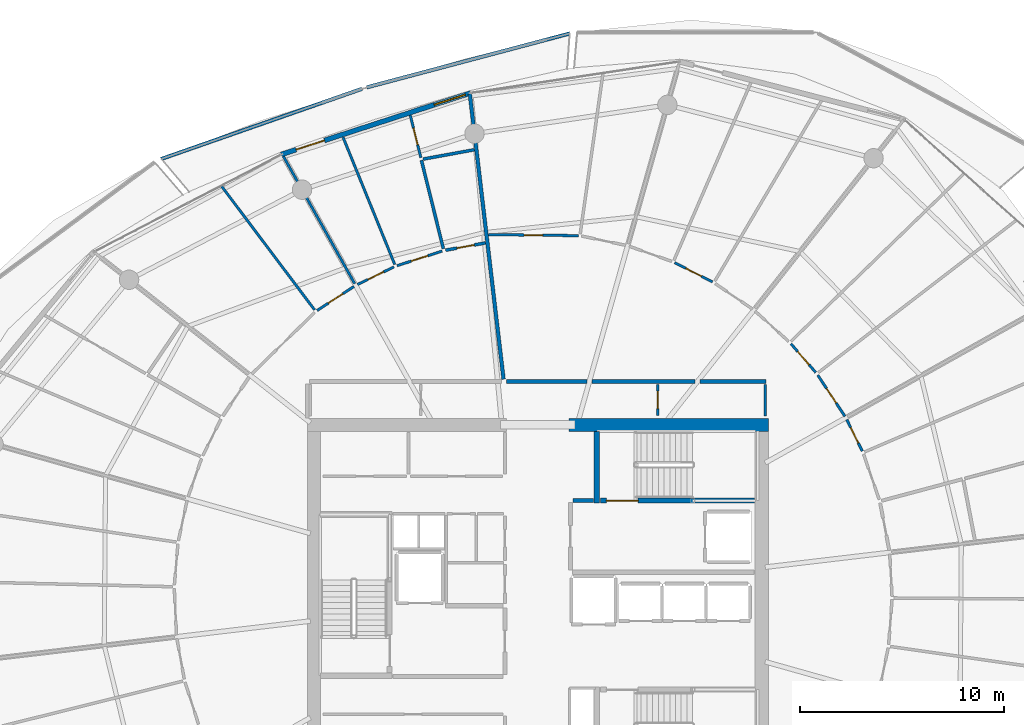
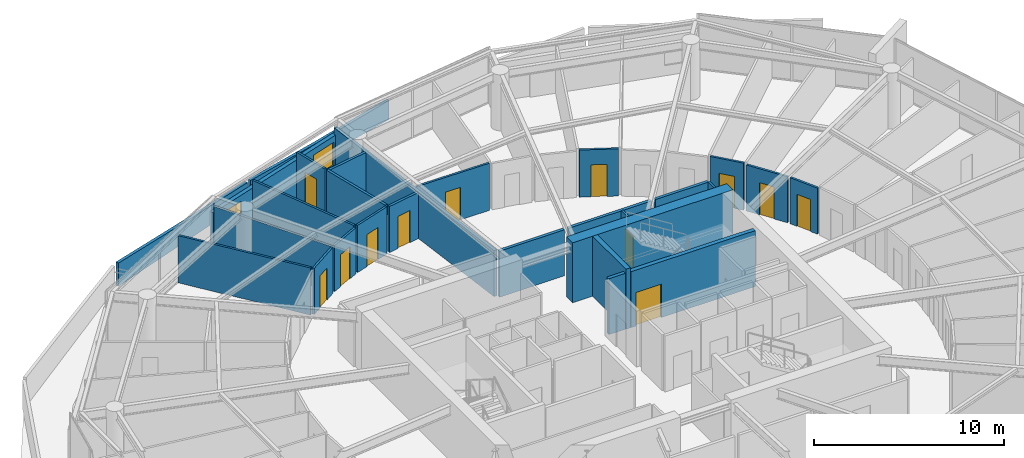
# One storey, part 22 of 30: 28 walls, 13 doors, 1 window, 14 openings.
"""IFC4 building model written with IfcOpenShell, lengths in metres."""

import ifcopenshell
import ifcopenshell.guid

model = None  # the IFC model being written
_history = None  # IfcOwnerHistory: only IFC2X3 demands one
_inside = {}  # id of a spatial element -> (the spatial element, [elements in it])
_under = {}  # id of a project, library or spatial element -> (it, [spatial elements below it])
_declared = {}  # id of a project -> (the project, [libraries it declares])
_typed = {}  # id of a type object -> (the type object, [elements of that type])
_made_of = {}  # id of a material, layer set ... -> (it, [elements and type objects made of it])


def new_model(schema):
    """Start an empty IFC model of exactly this schema.

    Asked for "IFC4X3", IfcOpenShell would pick the latest addendum, in which some entities
    have other attributes; the version numbers below select the first issue.
    IFC2X3 requires an IfcOwnerHistory on every rooted entity: one is made here for all.
    """
    global model, _history
    if schema == "IFC4X3":
        model = ifcopenshell.file(schema_version=(4, 3, 0, 0))
    else:
        model = ifcopenshell.file(schema=schema)
    _inside.clear()
    _under.clear()
    _declared.clear()
    _typed.clear()
    _made_of.clear()
    _history = None
    if model.schema == "IFC2X3":
        org = make("IfcOrganization", Name="unknown")
        user = make(
            "IfcPersonAndOrganization",
            ThePerson=make("IfcPerson", FamilyName="unknown"),
            TheOrganization=org,
        )
        app = make(
            "IfcApplication",
            ApplicationDeveloper=org,
            Version="unknown",
            ApplicationFullName="unknown",
            ApplicationIdentifier="unknown",
        )
        _history = make(
            "IfcOwnerHistory",
            OwningUser=user,
            OwningApplication=app,
            ChangeAction="ADDED",
            CreationDate=0,
        )
    return model


def make(cls, **values):
    """One entity of the class cls with the attributes given. An attribute that is None is left unset."""
    return model.create_entity(
        cls, **{name: value for name, value in values.items() if value is not None}
    )


def rooted(cls, **values):
    """An entity with a GlobalId (a new one), such as an element, a storey or a relation."""
    return make(cls, GlobalId=ifcopenshell.guid.new(), OwnerHistory=_history, **values)


def si_unit(unit_type, name, prefix=None):
    """IfcSIUnit, for example si_unit("LENGTHUNIT", "METRE", prefix="MILLI")."""
    return make("IfcSIUnit", UnitType=unit_type, Prefix=prefix, Name=name)


def assignment(units):
    """IfcUnitAssignment: the units of a project."""
    return None if units is None else make("IfcUnitAssignment", Units=units)


def point(xyz):
    """IfcCartesianPoint."""
    return None if xyz is None else make("IfcCartesianPoint", Coordinates=xyz)


def direction(xyz):
    """IfcDirection."""
    return None if xyz is None else make("IfcDirection", DirectionRatios=xyz)


def frame(location, z_axis=None, x_axis=None):
    """IfcAxis2Placement3D, a coordinate frame: its origin and axes. An axis left out is left unset."""
    return make(
        "IfcAxis2Placement3D",
        Location=point(location),
        Axis=direction(z_axis),
        RefDirection=direction(x_axis),
    )


def frame_2d(location, x_axis=None):
    """IfcAxis2Placement2D, a coordinate frame in the plane: its origin and x axis."""
    return make(
        "IfcAxis2Placement2D", Location=point(location), RefDirection=direction(x_axis)
    )


def origin():
    """The frame at (0, 0, 0) with its axes left unset."""
    return frame((0.0, 0.0, 0.0))


def place(relative_to, where):
    """IfcLocalPlacement: puts the frame where relative to a parent placement (None: the world)."""
    return make(
        "IfcLocalPlacement", PlacementRelTo=relative_to, RelativePlacement=where
    )


def context(
    kind, dimensions, precision=None, world=None, true_north=None, identifier=None
):
    """IfcGeometricRepresentationContext, for example the 3D "Model" context."""
    return make(
        "IfcGeometricRepresentationContext",
        ContextIdentifier=identifier,
        ContextType=kind,
        CoordinateSpaceDimension=dimensions,
        Precision=precision,
        WorldCoordinateSystem=world,
        TrueNorth=true_north,
    )


def subcontext(parent, identifier, kind, view, scale=None):
    """IfcGeometricRepresentationSubContext, for example "Body" below "Model"."""
    return make(
        "IfcGeometricRepresentationSubContext",
        ContextIdentifier=identifier,
        ContextType=kind,
        ParentContext=parent,
        TargetScale=scale,
        TargetView=view,
    )


def project(units=None, contexts=None):
    """IfcProject with its units and contexts."""
    return rooted(
        "IfcProject",
        Name="project",
        RepresentationContexts=contexts,
        UnitsInContext=assignment(units),
    )


def spatial(cls, under=None, at=None, **own):
    """A site, building, storey or space (cls), placed at a placement, below another one or the project."""
    s = rooted(cls, ObjectPlacement=at, **own)
    if under is not None:
        _under.setdefault(under.id(), (under, []))[1].append(s)
    return s


def polyline(points):
    """IfcPolyline through the points."""
    return make("IfcPolyline", Points=[point(p) for p in points])


def profile(cls, at=None, kind="AREA", **sizes):
    """A parametric profile (cls). Its sizes go by their IFC names, for example OverallWidth=200.0."""
    return make(cls, ProfileType=kind, Position=at, **sizes)


def rectangle(**sizes):
    """IfcRectangleProfileDef."""
    return profile("IfcRectangleProfileDef", **sizes)


def outline(outer, holes=None, kind="AREA"):
    """IfcArbitraryClosedProfileDef: a profile drawn as a closed curve; with holes, ...WithVoids."""
    if holes is None:
        return make("IfcArbitraryClosedProfileDef", ProfileType=kind, OuterCurve=outer)
    return make(
        "IfcArbitraryProfileDefWithVoids",
        ProfileType=kind,
        OuterCurve=outer,
        InnerCurves=holes,
    )


def extrude(swept, where, along, depth):
    """IfcExtrudedAreaSolid: the profile swept, set in the frame where, extruded along a direction by depth."""
    return make(
        "IfcExtrudedAreaSolid",
        SweptArea=swept,
        Position=where,
        ExtrudedDirection=direction(along),
        Depth=depth,
    )


def shape(context_of_items, identifier, shape_type, items):
    """IfcShapeRepresentation: the items that make up one representation, for example the "Body"."""
    return make(
        "IfcShapeRepresentation",
        ContextOfItems=context_of_items,
        RepresentationIdentifier=identifier,
        RepresentationType=shape_type,
        Items=items,
    )


def material(Name=None, Category=None):
    """IfcMaterial."""
    return make("IfcMaterial", Name=Name, Category=Category)


def layer(
    of_material, thickness, ventilated=None, Name=None, Category=None, Priority=None
):
    """IfcMaterialLayer: one layer of a wall or slab, of a material (None: an air gap)."""
    return make(
        "IfcMaterialLayer",
        Material=of_material,
        LayerThickness=thickness,
        IsVentilated=ventilated,
        Name=Name,
        Category=Category,
        Priority=Priority,
    )


def layer_set(layers, Name=None):
    """IfcMaterialLayerSet."""
    return make("IfcMaterialLayerSet", MaterialLayers=layers, LayerSetName=Name)


def made_of(thing, what):
    """Note that an element or type object is made of a material, layer set ...; save() writes the relation."""
    if what is not None:
        _made_of.setdefault(what.id(), (what, []))[1].append(thing)
    return thing


def type_object(cls, material=None, **own):
    """A type object (cls), such as IfcWallType, which elements share."""
    return made_of(rooted(cls, **own), material)


def element(
    cls,
    number,
    at=None,
    inside=None,
    cuts=None,
    type_object=None,
    material=None,
    context=None,
    identifier="Body",
    shape_type=None,
    held_by="IfcProductDefinitionShape",
    body=None,
    shapes=None,
    **own,
):
    """One element of the class cls, such as IfcWall. Its Tag is "e" and its number.

    at: its placement. inside: the storey or other place that contains it. cuts: it is an
    opening in that element (IfcRelVoidsElement). A single representation is given by context,
    identifier, shape_type and body (its items); several are given by shapes. held_by: the class
    of the entity that holds the representations. save() writes the other relations.
    """
    e = rooted(cls, Tag="e%d" % number, ObjectPlacement=at, **own)
    if body is not None:
        shapes = [shape(context, identifier, shape_type, body)]
    if shapes is not None:
        e.Representation = make(held_by, Representations=shapes)
    if inside is not None:
        _inside.setdefault(inside.id(), (inside, []))[1].append(e)
    if cuts is not None:
        rooted(
            "IfcRelVoidsElement", RelatingBuildingElement=cuts, RelatedOpeningElement=e
        )
    if type_object is not None:
        _typed.setdefault(type_object.id(), (type_object, []))[1].append(e)
    return made_of(e, material)


def fill(opening, filler):
    """IfcRelFillsElement: the door or window that sits in an opening."""
    return rooted(
        "IfcRelFillsElement",
        RelatingOpeningElement=opening,
        RelatedBuildingElement=filler,
    )


def aggregate(whole, parts):
    """IfcRelAggregates: a whole, such as a stair, and the parts it consists of."""
    return rooted("IfcRelAggregates", RelatingObject=whole, RelatedObjects=parts)


def save(model, path):
    """Write the relations noted so far, then the file.

    IfcRelAggregates (storeys below a building ...), IfcRelContainedInSpatialStructure (elements
    in a storey), IfcRelDefinesByType, IfcRelAssociatesMaterial and IfcRelDeclares: one each for
    every whole, place, type object, material and project.
    """
    for whole, parts in _under.values():
        aggregate(whole, parts)
    for where, things in _inside.values():
        rooted(
            "IfcRelContainedInSpatialStructure",
            RelatedElements=things,
            RelatingStructure=where,
        )
    for kind, things in _typed.values():
        rooted("IfcRelDefinesByType", RelatedObjects=things, RelatingType=kind)
    for what, things in _made_of.values():
        rooted("IfcRelAssociatesMaterial", RelatedObjects=things, RelatingMaterial=what)
    for by, libraries in _declared.values():
        rooted("IfcRelDeclares", RelatingContext=by, RelatedDefinitions=libraries)
    model.write(path)


model = new_model("IFC4")

# Units and contexts
model_context = context("Model", 3, precision=1e-05, world=origin(), true_north=direction((0.0, 1.0)))
body_context = subcontext(model_context, "Body", "Model", "MODEL_VIEW")
ifc_project = project(units=[si_unit("LENGTHUNIT", "METRE"), si_unit("AREAUNIT", "SQUARE_METRE"), si_unit("VOLUMEUNIT", "CUBIC_METRE"), si_unit("PLANEANGLEUNIT", "RADIAN"), si_unit("MASSUNIT", "GRAM", prefix="KILO")], contexts=[model_context])

# Site, building, storey
site_placement = place(None, origin())
site = spatial("IfcSite", under=ifc_project, at=site_placement, CompositionType="ELEMENT")
building_placement = place(site_placement, origin())
building = spatial("IfcBuilding", under=site, at=building_placement, Name="Kazma Halo Residences", CompositionType="ELEMENT")
storey_placement = place(building_placement, frame((0.0, 0.0, 263.64990234375)))
storey = spatial("IfcBuildingStorey", under=building, at=storey_placement, Name="L66", CompositionType="ELEMENT", Elevation=263.64990234375)

# Walls
ifc_material_1 = material(Name="White Concrete C50/60 Balustrade", Category="concrete")
ifc_layer_1 = layer(ifc_material_1, 0.179931640625)
ifc_layer_set_1 = layer_set([ifc_layer_1], Name="White Concrete C50/60 Balustrade")
wall_type_1 = type_object("IfcWallType", Name="WL-BAL-WAVE-180", PredefinedType="PARAPET", material=ifc_layer_set_1)
wall_1_placement = place(storey_placement, frame((49.993408203125, 69.47265625, 0.0), z_axis=(0.0, 0.0, 1.0), x_axis=(-0.96657188746, -0.256395761219, 0.0)))
element("IfcWall", 1, at=wall_1_placement, inside=storey, type_object=wall_type_1, Name="L66 white wave balustrade wall NNW.1", PredefinedType="PARAPET", context=body_context, shape_type="SweptSolid", body=[
    extrude(outline(polyline([(0.0, 0.0), (10.281005859375, 0.0), (10.281005859375, 1.148193359375), (5.140380859375, 1.127197265625), (0.0, 1.22412109375), (0.0, 0.0)])), frame((0.0, 0.08984375, 0.0), z_axis=(0.0, -1.0, 0.0), x_axis=(1.0, 0.0, 0.0)), (0.0, 0.0, 1.0), 0.179931640625),
])
wall_2_placement = place(storey_placement, frame((39.826904296875, 66.76611328125, 0.0), z_axis=(0.0, 0.0, 1.0), x_axis=(-0.944003849273, -0.329934436757, 0.0)))
element("IfcWall", 2, at=wall_2_placement, inside=storey, type_object=wall_type_1, Name="L66 white wave balustrade wall NNW.2", PredefinedType="PARAPET", context=body_context, shape_type="SweptSolid", body=[
    extrude(outline(polyline([(0.0, 0.0), (10.405517578125, 0.0), (10.405517578125, 1.483154296875), (5.20263671875, 1.2841796875), (0.0, 1.148193359375), (0.0, 0.0)])), frame((0.0, 0.08984375, 0.0), z_axis=(0.0, -1.0, 0.0), x_axis=(1.0, 0.0, 0.0)), (0.0, 0.0, 1.0), 0.179931640625),
])
ifc_material_2 = material(Name="Concrete C60/75", Category="concrete")
ifc_layer_2 = layer(ifc_material_2, 0.64990234375)
ifc_layer_set_2 = layer_set([ifc_layer_2], Name="Concrete C60/75")
wall_type_2 = type_object("IfcWallType", Name="WL-CORE-650", PredefinedType="SHEAR", material=ifc_layer_set_2)
wall_3_placement = place(storey_placement, frame((49.949951171875, 50.324951171875, 0.0), z_axis=(0.0, 0.0, 1.0), x_axis=(1.0, 0.0, 0.0)))
element("IfcWall", 3, at=wall_3_placement, inside=storey, type_object=wall_type_2, Name="L66 central core shear wall NE", PredefinedType="SHEAR", context=body_context, shape_type="SweptSolid", body=[
    extrude(rectangle(XDim=9.75, YDim=0.64990234375, at=frame_2d((4.875, 0.0))), origin(), (0.0, 0.0, 1.0), 3.85009765625),
])
ifc_layer_3 = layer(ifc_material_2, 0.280029296875)
ifc_layer_set_3 = layer_set([ifc_layer_3], Name="Concrete C60/75")
wall_type_3 = type_object("IfcWallType", Name="WL-CORE-ST-280", PredefinedType="SHEAR", material=ifc_layer_set_3)
wall_4_placement = place(storey_placement, frame((51.31005859375, 46.5, 0.0), z_axis=(0.0, 0.0, 1.0), x_axis=(0.0, 1.0, 0.0)))
element("IfcWall", 4, at=wall_4_placement, inside=storey, type_object=wall_type_3, Name="L66 stairwell bearing wall ST02-W", PredefinedType="SHEAR", context=body_context, shape_type="SweptSolid", body=[
    extrude(rectangle(XDim=3.5, YDim=0.280029296875, at=frame_2d((1.75, 0.0))), origin(), (0.0, 0.0, 1.0), 3.85009765625),
])
ifc_material_3 = material(Name="Acoustic Twin-Stud Gypsum")
ifc_layer_4 = layer(ifc_material_3, 0.179931640625)
ifc_layer_set_4 = layer_set([ifc_layer_4], Name="Acoustic Twin-Stud Gypsum")
wall_type_4 = type_object("IfcWallType", Name="WL-DEM-180", PredefinedType="PARTITIONING", material=ifc_layer_set_4)
wall_5_placement = place(storey_placement, frame((46.750244140625, 52.55908203125, 0.0), z_axis=(0.0, 0.0, 1.0), x_axis=(-0.117540318076, 0.993068111273, 0.0)))
element("IfcWall", 5, at=wall_5_placement, inside=storey, type_object=wall_type_4, Name="L66 apartment demising radial wall 03", PredefinedType="PARTITIONING", context=body_context, shape_type="SweptSolid", body=[
    extrude(rectangle(XDim=14.061767578125, YDim=0.179931640625, at=frame_2d((7.03076171875, 0.0))), origin(), (0.0, 0.0, 1.0), 2.95703125),
])
wall_6_placement = place(storey_placement, frame((59.580078125, 52.449951171875, 0.0), z_axis=(0.0, 0.0, 1.0), x_axis=(-1.0, 0.0, 0.0)))
element("IfcWall", 6, at=wall_6_placement, inside=storey, type_object=wall_type_4, Name="L66 Apartment 2 inner wall 0", PredefinedType="PARTITIONING", context=body_context, shape_type="SweptSolid", body=[
    extrude(rectangle(XDim=3.221923828125, YDim=0.179931640625, at=frame_2d((1.61083984375, 0.0))), origin(), (0.0, 0.0, 1.0), 2.95703125),
])
wall_7_placement = place(storey_placement, frame((56.1181640625, 52.449951171875, 0.0), z_axis=(0.0, 0.0, 1.0), x_axis=(-1.0, 0.0, 0.0)))
element("IfcWall", 7, at=wall_7_placement, inside=storey, type_object=wall_type_4, Name="L66 Apartment 2 inner wall 1", PredefinedType="PARTITIONING", context=body_context, shape_type="SweptSolid", body=[
    extrude(rectangle(XDim=5.051025390625, YDim=0.179931640625, at=frame_2d((2.525390625, 0.0))), origin(), (0.0, 0.0, 1.0), 2.95703125),
])
wall_8_placement = place(storey_placement, frame((50.8271484375, 52.449951171875, 0.0), z_axis=(0.0, 0.0, 1.0), x_axis=(-1.0, 0.0, 0.0)))
element("IfcWall", 8, at=wall_8_placement, inside=storey, type_object=wall_type_4, Name="L66 Apartment 2 inner wall 2", PredefinedType="PARTITIONING", context=body_context, shape_type="SweptSolid", body=[
    extrude(rectangle(XDim=3.94384765625, YDim=0.179931640625, at=frame_2d((1.971923828125, 0.0))), origin(), (0.0, 0.0, 1.0), 2.95703125),
])

# Wall, openings, door, window
ifc_material_4 = material(Name="Insulated Pale-Metal Composite Wall")
ifc_layer_5 = layer(ifc_material_4, 0.239990234375)
ifc_layer_set_5 = layer_set([ifc_layer_5], Name="Insulated Pale-Metal Composite Wall")
wall_type_5 = type_object("IfcWallType", Name="WL-EXT-HOST-240", PredefinedType="SOLIDWALL", material=ifc_layer_set_5)
wall_9_placement = place(storey_placement, frame((45.14208984375, 66.563720703125, 0.0), z_axis=(0.0, 0.0, 1.0), x_axis=(-0.951055974609, -0.309018661507, 0.0)))
wall_9 = element("IfcWall", 9, at=wall_9_placement, inside=storey, type_object=wall_type_5, Name="L66 exterior terrace-access wall B04", PredefinedType="SOLIDWALL", context=body_context, shape_type="SweptSolid", body=[
    extrude(rectangle(XDim=9.745361328125, YDim=0.239990234375, at=frame_2d((4.87255859375, 0.0))), origin(), (0.0, 0.0, 1.0), 2.5400390625),
])
opening_1_placement = place(wall_9_placement, frame((7.525390625, 0.0, 0.0)))
opening_1 = element("IfcOpeningElement", 10, at=opening_1_placement, cuts=wall_9, Name="Opening DTR-1600", PredefinedType="OPENING", context=body_context, shape_type="SweptSolid", body=[
    extrude(rectangle(XDim=1.449951171875, YDim=2.14990234375, at=frame_2d((0.72509765625, 1.074951171875))), frame((0.0, 0.1298828125, 0.0), z_axis=(0.0, -1.0, 0.0), x_axis=(1.0, 0.0, 0.0)), (0.0, 0.0, 1.0), 0.260009765625),
])
opening_2_placement = place(wall_9_placement, frame((0.280029296875, 0.0, 0.64990234375)))
opening_2 = element("IfcOpeningElement", 11, at=opening_2_placement, cuts=wall_9, Name="Opening W-1800", PredefinedType="OPENING", context=body_context, shape_type="SweptSolid", body=[
    extrude(rectangle(XDim=1.60009765625, YDim=1.5, at=frame_2d((0.800048828125, 0.75))), frame((0.0, 0.1298828125, 0.0), z_axis=(0.0, -1.0, 0.0), x_axis=(1.0, 0.0, 0.0)), (0.0, 0.0, 1.0), 0.260009765625),
])
ifc_material_5 = material(Name="Aluminium AW-6063 T6 Double-Glazed Terrace Door", Category="aluminium")
door_type_1 = type_object("IfcDoorType", Name="DR-EXT-TERR-1600", OperationType="NOTDEFINED", PredefinedType="DOOR", material=ifc_material_5)
door_1_placement = place(opening_1_placement, origin())
door_1 = element("IfcDoor", 12, at=door_1_placement, inside=storey, type_object=door_type_1, Name="L66 B04 balcony terrace door", OperationType="DOUBLE_DOOR_SLIDING", OverallHeight=2.14990234375, OverallWidth=1.449951171875, PredefinedType="DOOR", context=body_context, shape_type="SweptSolid", body=[
    extrude(rectangle(XDim=1.449951171875, YDim=2.14990234375, at=frame_2d((0.72509765625, 1.074951171875))), frame((0.0, 0.02490234375, 0.0), z_axis=(0.0, -1.0, 0.0), x_axis=(1.0, 0.0, 0.0)), (0.0, 0.0, 1.0), 0.050048828125),
])
fill(opening_1, door_1)
ifc_material_6 = material(Name="Clear Triple-Silver Low-E Glass in Aluminium AW-6063 T6 Frame", Category="aluminium")
window_type = type_object("IfcWindowType", Name="WIN-RES-1800", PartitioningType="DOUBLE_PANEL_VERTICAL", PredefinedType="WINDOW", material=ifc_material_6)
window_placement = place(opening_2_placement, origin())
window = element("IfcWindow", 13, at=window_placement, inside=storey, type_object=window_type, Name="L66 B04 apartment window", OverallHeight=1.5, OverallWidth=1.60009765625, PartitioningType="SINGLE_PANEL", PredefinedType="WINDOW", context=body_context, shape_type="SweptSolid", body=[
    extrude(rectangle(XDim=1.60009765625, YDim=1.5, at=frame_2d((0.800048828125, 0.75))), frame((0.0, 0.030029296875, 0.0), z_axis=(0.0, -1.0, 0.0), x_axis=(1.0, 0.0, 0.0)), (0.0, 0.0, 1.0), 0.06005859375),
])
fill(opening_2, window)

# Walls
ifc_material_7 = material(Name="Fire-Rated Blockwork Masonry", Category="masonry")
ifc_layer_6 = layer(ifc_material_7, 0.199951171875)
ifc_layer_set_6 = layer_set([ifc_layer_6], Name="Fire-Rated Blockwork Masonry")
wall_type_6 = type_object("IfcWallType", Name="WL-FLB-200", PredefinedType="PARTITIONING", material=ifc_layer_set_6)
wall_10_placement = place(storey_placement, frame((50.139892578125, 46.6201171875, 0.0), z_axis=(0.0, 0.0, 1.0), x_axis=(1.0, 0.0, 0.0)))
element("IfcWall", 14, at=wall_10_placement, inside=storey, type_object=wall_type_6, Name="L66 east firefighting lobby north closure wall", PredefinedType="PARTITIONING", context=body_context, shape_type="SweptSolid", body=[
    extrude(rectangle(XDim=1.02001953125, YDim=0.199951171875, at=frame_2d((0.510009765625, 0.0))), origin(), (0.0, 0.0, 1.0), 3.590087890625),
])
ifc_material_8 = material(Name="Gypsum Plasterboard Partition")
ifc_layer_7 = layer(ifc_material_8, 0.125)
ifc_layer_set_7 = layer_set([ifc_layer_7], Name="Gypsum Plasterboard Partition")
wall_type_7 = type_object("IfcWallType", Name="WL-PART-125", PredefinedType="PARTITIONING", material=ifc_layer_set_7)
wall_11_placement = place(storey_placement, frame((59.56005859375, 50.77001953125, 0.0), z_axis=(0.0, 0.0, 1.0), x_axis=(0.0, 1.0, 0.0)))
element("IfcWall", 15, at=wall_11_placement, inside=storey, type_object=wall_type_7, Name="L66 east cupboard end wall", PredefinedType="PARTITIONING", context=body_context, shape_type="SweptSolid", body=[
    extrude(rectangle(XDim=1.5400390625, YDim=0.125, at=frame_2d((0.77001953125, 0.0))), origin(), (0.0, 0.0, 1.0), 3.030029296875),
])

# Wall, opening, door
wall_12_placement = place(storey_placement, frame((54.2900390625, 50.7900390625, 0.0), z_axis=(0.0, 0.0, 1.0), x_axis=(0.0, 1.0, 0.0)))
wall_12 = element("IfcWall", 16, at=wall_12_placement, inside=storey, type_object=wall_type_7, Name="L66 floor metering cupboard door wall", PredefinedType="PARTITIONING", context=body_context, shape_type="SweptSolid", body=[
    extrude(rectangle(XDim=1.52001953125, YDim=0.125, at=frame_2d((0.760009765625, 0.0))), origin(), (0.0, 0.0, 1.0), 3.030029296875),
])
opening_3_placement = place(wall_12_placement, frame((0.3349609375, 0.0, 0.0)))
opening_3 = element("IfcOpeningElement", 17, at=opening_3_placement, cuts=wall_12, Name="Opening DS-850", PredefinedType="OPENING", context=body_context, shape_type="SweptSolid", body=[
    extrude(rectangle(XDim=0.85009765625, YDim=2.06005859375, at=frame_2d((0.425048828125, 1.030029296875))), frame((0.0, 0.072509765625, 0.0), z_axis=(0.0, -1.0, 0.0), x_axis=(1.0, 0.0, 0.0)), (0.0, 0.0, 1.0), 0.14501953125),
])
ifc_material_9 = material(Name="Painted Steel Access Leaf", Category="steel")
door_type_2 = type_object("IfcDoorType", Name="DR-SVC-850", OperationType="NOTDEFINED", PredefinedType="DOOR", material=ifc_material_9)
door_2_placement = place(opening_3_placement, origin())
door_2 = element("IfcDoor", 18, at=door_2_placement, inside=storey, type_object=door_type_2, Name="L66 floor cupboard door", OperationType="SINGLE_SWING_RIGHT", OverallHeight=2.06005859375, OverallWidth=0.85009765625, PredefinedType="DOOR", context=body_context, shape_type="SweptSolid", body=[
    extrude(rectangle(XDim=0.85009765625, YDim=2.06005859375, at=frame_2d((0.425048828125, 1.030029296875))), frame((0.0, 0.02490234375, 0.0), z_axis=(0.0, -1.0, 0.0), x_axis=(1.0, 0.0, 0.0)), (0.0, 0.0, 1.0), 0.050048828125),
])
fill(opening_3, door_2)

wall_13_placement = place(storey_placement, frame((42.70263671875, 63.39794921875, 0.0), z_axis=(0.0, 0.0, 1.0), x_axis=(-0.240385432392, 0.970677517971, 0.0)))
wall_13 = element("IfcWall", 19, at=wall_13_placement, inside=storey, type_object=wall_type_7, Name="L66 Apartment 1 Household Store Room partition wall", PredefinedType="PARTITIONING", context=body_context, shape_type="SweptSolid", body=[
    extrude(rectangle(XDim=2.137939453125, YDim=0.125, at=frame_2d((1.06884765625, 0.0))), origin(), (0.0, 0.0, 1.0), 3.030029296875),
])
opening_4_placement = place(wall_13_placement, frame((0.643798828125, 0.0, 0.0)))
opening_4 = element("IfcOpeningElement", 20, at=opening_4_placement, cuts=wall_13, Name="Opening DB-900", PredefinedType="OPENING", context=body_context, shape_type="SweptSolid", body=[
    extrude(rectangle(XDim=0.85009765625, YDim=2.06005859375, at=frame_2d((0.425048828125, 1.030029296875))), frame((0.0, 0.072509765625, 0.0), z_axis=(0.0, -1.0, 0.0), x_axis=(1.0, 0.0, 0.0)), (0.0, 0.0, 1.0), 0.14501953125),
])
ifc_material_10 = material(Name="Moisture-Sealed Timber Leaf", Category="wood")
door_type_3 = type_object("IfcDoorType", Name="DR-BTH-900", OperationType="NOTDEFINED", PredefinedType="DOOR", material=ifc_material_10)
door_3_placement = place(opening_4_placement, origin())
door_3 = element("IfcDoor", 21, at=door_3_placement, inside=storey, type_object=door_type_3, Name="L66 Apartment 1 Household Store Room door", OperationType="SINGLE_SWING_LEFT", OverallHeight=2.06005859375, OverallWidth=0.85009765625, PredefinedType="DOOR", context=body_context, shape_type="SweptSolid", body=[
    extrude(rectangle(XDim=0.85009765625, YDim=2.06005859375, at=frame_2d((0.425048828125, 1.030029296875))), frame((0.0, 0.02490234375, 0.0), z_axis=(0.0, -1.0, 0.0), x_axis=(1.0, 0.0, 0.0)), (0.0, 0.0, 1.0), 0.050048828125),
])
fill(opening_4, door_3)

# Wall
wall_14_placement = place(storey_placement, frame((41.42919921875, 58.169921875, 0.0), z_axis=(0.0, 0.0, 1.0), x_axis=(-0.376458801215, 0.926433360252, 0.0)))
element("IfcWall", 22, at=wall_14_placement, inside=storey, type_object=wall_type_7, Name="L66 Apartment 1 suite divider 3", PredefinedType="PARTITIONING", context=body_context, shape_type="SweptSolid", body=[
    extrude(rectangle(XDim=6.728271484375, YDim=0.125, at=frame_2d((3.3642578125, 0.0))), origin(), (0.0, 0.0, 1.0), 3.030029296875),
])

# Wall, opening, door
wall_15_placement = place(storey_placement, frame((43.74169921875, 58.827392578125, 0.0), z_axis=(0.0, 0.0, 1.0), x_axis=(-0.950997650668, -0.309198105466, 0.0)))
wall_15 = element("IfcWall", 23, at=wall_15_placement, inside=storey, type_object=wall_type_7, Name="L66 Apartment 1 Gourmet Kitchen hall wall", PredefinedType="PARTITIONING", context=body_context, shape_type="SweptSolid", body=[
    extrude(rectangle(XDim=2.31591796875, YDim=0.125, at=frame_2d((1.157958984375, 0.0))), origin(), (0.0, 0.0, 1.0), 3.030029296875),
])
opening_5_placement = place(wall_15_placement, frame((0.73291015625, 0.0, 0.0)))
opening_5 = element("IfcOpeningElement", 24, at=opening_5_placement, cuts=wall_15, Name="Opening DB-900", PredefinedType="OPENING", context=body_context, shape_type="SweptSolid", body=[
    extrude(rectangle(XDim=0.85009765625, YDim=2.06005859375, at=frame_2d((0.425048828125, 1.030029296875))), frame((0.0, 0.072509765625, 0.0), z_axis=(0.0, -1.0, 0.0), x_axis=(1.0, 0.0, 0.0)), (0.0, 0.0, 1.0), 0.14501953125),
])
door_4_placement = place(opening_5_placement, origin())
door_4 = element("IfcDoor", 25, at=door_4_placement, inside=storey, type_object=door_type_3, Name="L66 Apartment 1 Gourmet Kitchen door", OperationType="SINGLE_SWING_RIGHT", OverallHeight=2.06005859375, OverallWidth=0.85009765625, PredefinedType="DOOR", context=body_context, shape_type="SweptSolid", body=[
    extrude(rectangle(XDim=0.85009765625, YDim=2.06005859375, at=frame_2d((0.425048828125, 1.030029296875))), frame((0.0, 0.02490234375, 0.0), z_axis=(0.0, -1.0, 0.0), x_axis=(1.0, 0.0, 0.0)), (0.0, 0.0, 1.0), 0.050048828125),
])
fill(opening_5, door_4)

wall_16_placement = place(storey_placement, frame((41.39111328125, 58.052001953125, 0.0), z_axis=(0.0, 0.0, 1.0), x_axis=(-0.901197816095, -0.433408002079, 0.0)))
wall_16 = element("IfcWall", 26, at=wall_16_placement, inside=storey, type_object=wall_type_7, Name="L66 Apartment 1 Primary Bedroom hall wall", PredefinedType="PARTITIONING", context=body_context, shape_type="SweptSolid", body=[
    extrude(rectangle(XDim=1.981201171875, YDim=0.125, at=frame_2d((0.99072265625, 0.0))), origin(), (0.0, 0.0, 1.0), 2.95703125),
])
opening_6_placement = place(wall_16_placement, frame((0.5654296875, 0.0, 0.0)))
opening_6 = element("IfcOpeningElement", 27, at=opening_6_placement, cuts=wall_16, Name="Opening DB-900", PredefinedType="OPENING", context=body_context, shape_type="SweptSolid", body=[
    extrude(rectangle(XDim=0.85009765625, YDim=2.06005859375, at=frame_2d((0.425048828125, 1.030029296875))), frame((0.0, 0.072509765625, 0.0), z_axis=(0.0, -1.0, 0.0), x_axis=(1.0, 0.0, 0.0)), (0.0, 0.0, 1.0), 0.14501953125),
])
door_5_placement = place(opening_6_placement, origin())
door_5 = element("IfcDoor", 28, at=door_5_placement, inside=storey, type_object=door_type_3, Name="L66 Apartment 1 Primary Bedroom door", OperationType="SINGLE_SWING_LEFT", OverallHeight=2.06005859375, OverallWidth=0.85009765625, PredefinedType="DOOR", context=body_context, shape_type="SweptSolid", body=[
    extrude(rectangle(XDim=0.85009765625, YDim=2.06005859375, at=frame_2d((0.425048828125, 1.030029296875))), frame((0.0, 0.02490234375, 0.0), z_axis=(0.0, -1.0, 0.0), x_axis=(1.0, 0.0, 0.0)), (0.0, 0.0, 1.0), 0.050048828125),
])
fill(opening_6, door_5)

# Walls
wall_17_placement = place(storey_placement, frame((39.466796875, 57.2373046875, 0.0), z_axis=(0.0, 0.0, 1.0), x_axis=(-0.488642985948, 0.872483829239, 0.0)))
element("IfcWall", 29, at=wall_17_placement, inside=storey, type_object=wall_type_7, Name="L66 Apartment 1 radial partition 4", PredefinedType="PARTITIONING", context=body_context, shape_type="SweptSolid", body=[
    extrude(rectangle(XDim=7.130615234375, YDim=0.125, at=frame_2d((3.5654296875, 0.0))), origin(), (0.0, 0.0, 1.0), 2.95703125),
])
wall_18_placement = place(storey_placement, frame((37.50927734375, 55.949462890625, 0.0), z_axis=(0.0, 0.0, 1.0), x_axis=(-0.60104674722, 0.799213868534, 0.0)))
element("IfcWall", 30, at=wall_18_placement, inside=storey, type_object=wall_type_7, Name="L66 Apartment 1 mid-bay wall 4", PredefinedType="PARTITIONING", context=body_context, shape_type="SweptSolid", body=[
    extrude(rectangle(XDim=7.57177734375, YDim=0.125, at=frame_2d((3.785888671875, 0.0))), origin(), (0.0, 0.0, 1.0), 3.030029296875),
])

# Wall, opening, door
wall_19_placement = place(storey_placement, frame((39.431884765625, 57.095458984375, 0.0), z_axis=(0.0, 0.0, 1.0), x_axis=(-0.837734795217, -0.546077295703, 0.0)))
wall_19 = element("IfcWall", 31, at=wall_19_placement, inside=storey, type_object=wall_type_7, Name="L66 Apartment 1 Primary Bedroom hall wall", PredefinedType="PARTITIONING", context=body_context, shape_type="SweptSolid", body=[
    extrude(rectangle(XDim=2.150390625, YDim=0.125, at=frame_2d((1.0751953125, 0.0))), origin(), (0.0, 0.0, 1.0), 2.95703125),
])
opening_7_placement = place(wall_19_placement, frame((0.650146484375, 0.0, 0.0)))
opening_7 = element("IfcOpeningElement", 32, at=opening_7_placement, cuts=wall_19, Name="Opening DB-900", PredefinedType="OPENING", context=body_context, shape_type="SweptSolid", body=[
    extrude(rectangle(XDim=0.85009765625, YDim=2.06005859375, at=frame_2d((0.425048828125, 1.030029296875))), frame((0.0, 0.072509765625, 0.0), z_axis=(0.0, -1.0, 0.0), x_axis=(1.0, 0.0, 0.0)), (0.0, 0.0, 1.0), 0.14501953125),
])
door_6_placement = place(opening_7_placement, origin())
door_6 = element("IfcDoor", 33, at=door_6_placement, inside=storey, type_object=door_type_3, Name="L66 Apartment 1 Primary Bedroom door", OperationType="SINGLE_SWING_LEFT", OverallHeight=2.06005859375, OverallWidth=0.85009765625, PredefinedType="DOOR", context=body_context, shape_type="SweptSolid", body=[
    extrude(rectangle(XDim=0.85009765625, YDim=2.06005859375, at=frame_2d((0.425048828125, 1.030029296875))), frame((0.0, 0.02490234375, 0.0), z_axis=(0.0, -1.0, 0.0), x_axis=(1.0, 0.0, 0.0)), (0.0, 0.0, 1.0), 0.050048828125),
])
fill(opening_7, door_6)

wall_20_placement = place(storey_placement, frame((64.2958984375, 49.043212890625, 0.0), z_axis=(0.0, 0.0, 1.0), x_axis=(-0.441184733744, 0.897416308472, 0.0)))
wall_20 = element("IfcWall", 34, at=wall_20_placement, inside=storey, type_object=wall_type_7, Name="L66 Apartment 2 Secondary Master Bedroom hall wall", PredefinedType="PARTITIONING", context=body_context, shape_type="SweptSolid", body=[
    extrude(rectangle(XDim=1.719970703125, YDim=0.125, at=frame_2d((0.85986328125, 0.0))), origin(), (0.0, 0.0, 1.0), 2.95703125),
])
opening_8_placement = place(wall_20_placement, frame((0.43505859375, 0.0, 0.0)))
opening_8 = element("IfcOpeningElement", 35, at=opening_8_placement, cuts=wall_20, Name="Opening DB-900", PredefinedType="OPENING", context=body_context, shape_type="SweptSolid", body=[
    extrude(rectangle(XDim=0.85009765625, YDim=2.06005859375, at=frame_2d((0.425048828125, 1.030029296875))), frame((0.0, 0.072509765625, 0.0), z_axis=(0.0, -1.0, 0.0), x_axis=(1.0, 0.0, 0.0)), (0.0, 0.0, 1.0), 0.14501953125),
])
door_7_placement = place(opening_8_placement, origin())
door_7 = element("IfcDoor", 36, at=door_7_placement, inside=storey, type_object=door_type_3, Name="L66 Apartment 2 Secondary Master Bedroom door", OperationType="SINGLE_SWING_LEFT", OverallHeight=2.06005859375, OverallWidth=0.85009765625, PredefinedType="DOOR", context=body_context, shape_type="SweptSolid", body=[
    extrude(rectangle(XDim=0.85009765625, YDim=2.06005859375, at=frame_2d((0.425048828125, 1.030029296875))), frame((0.0, 0.02490234375, 0.0), z_axis=(0.0, -1.0, 0.0), x_axis=(1.0, 0.0, 0.0)), (0.0, 0.0, 1.0), 0.050048828125),
])
fill(opening_8, door_7)

wall_21_placement = place(storey_placement, frame((63.44873046875, 50.7431640625, 0.0), z_axis=(0.0, 0.0, 1.0), x_axis=(-0.550615705096, 0.834758854581, 0.0)))
wall_21 = element("IfcWall", 37, at=wall_21_placement, inside=storey, type_object=wall_type_7, Name="L66 Apartment 2 East Master Bedroom hall wall", PredefinedType="PARTITIONING", context=body_context, shape_type="SweptSolid", body=[
    extrude(rectangle(XDim=2.417724609375, YDim=0.125, at=frame_2d((1.208984375, 0.0))), origin(), (0.0, 0.0, 1.0), 2.95703125),
])
opening_9_placement = place(wall_21_placement, frame((0.783935546875, 0.0, 0.0)))
opening_9 = element("IfcOpeningElement", 38, at=opening_9_placement, cuts=wall_21, Name="Opening DB-900", PredefinedType="OPENING", context=body_context, shape_type="SweptSolid", body=[
    extrude(rectangle(XDim=0.85009765625, YDim=2.06005859375, at=frame_2d((0.425048828125, 1.030029296875))), frame((0.0, 0.072509765625, 0.0), z_axis=(0.0, -1.0, 0.0), x_axis=(1.0, 0.0, 0.0)), (0.0, 0.0, 1.0), 0.14501953125),
])
door_8_placement = place(opening_9_placement, origin())
door_8 = element("IfcDoor", 39, at=door_8_placement, inside=storey, type_object=door_type_3, Name="L66 Apartment 2 East Master Bedroom door", OperationType="SINGLE_SWING_RIGHT", OverallHeight=2.06005859375, OverallWidth=0.85009765625, PredefinedType="DOOR", context=body_context, shape_type="SweptSolid", body=[
    extrude(rectangle(XDim=0.85009765625, YDim=2.06005859375, at=frame_2d((0.425048828125, 1.030029296875))), frame((0.0, 0.02490234375, 0.0), z_axis=(0.0, -1.0, 0.0), x_axis=(1.0, 0.0, 0.0)), (0.0, 0.0, 1.0), 0.050048828125),
])
fill(opening_9, door_8)

wall_22_placement = place(storey_placement, frame((62.02099609375, 52.888671875, 0.0), z_axis=(0.0, 0.0, 1.0), x_axis=(-0.653811111284, 0.756657802947, 0.0)))
wall_22 = element("IfcWall", 40, at=wall_22_placement, inside=storey, type_object=wall_type_7, Name="L66 Apartment 2 West Study hall wall", PredefinedType="PARTITIONING", context=body_context, shape_type="SweptSolid", body=[
    extrude(rectangle(XDim=1.861083984375, YDim=0.125, at=frame_2d((0.9306640625, 0.0))), origin(), (0.0, 0.0, 1.0), 3.030029296875),
])
opening_10_placement = place(wall_22_placement, frame((0.505615234375, 0.0, 0.0)))
opening_10 = element("IfcOpeningElement", 41, at=opening_10_placement, cuts=wall_22, Name="Opening DB-900", PredefinedType="OPENING", context=body_context, shape_type="SweptSolid", body=[
    extrude(rectangle(XDim=0.85009765625, YDim=2.06005859375, at=frame_2d((0.425048828125, 1.030029296875))), frame((0.0, 0.072509765625, 0.0), z_axis=(0.0, -1.0, 0.0), x_axis=(1.0, 0.0, 0.0)), (0.0, 0.0, 1.0), 0.14501953125),
])
door_9_placement = place(opening_10_placement, origin())
door_9 = element("IfcDoor", 42, at=door_9_placement, inside=storey, type_object=door_type_3, Name="L66 Apartment 2 West Study door", OperationType="SINGLE_SWING_LEFT", OverallHeight=2.06005859375, OverallWidth=0.85009765625, PredefinedType="DOOR", context=body_context, shape_type="SweptSolid", body=[
    extrude(rectangle(XDim=0.85009765625, YDim=2.06005859375, at=frame_2d((0.425048828125, 1.030029296875))), frame((0.0, 0.02490234375, 0.0), z_axis=(0.0, -1.0, 0.0), x_axis=(1.0, 0.0, 0.0)), (0.0, 0.0, 1.0), 0.050048828125),
])
fill(opening_10, door_9)

wall_23_placement = place(storey_placement, frame((56.9677734375, 57.320556640625, 0.0), z_axis=(0.0, 0.0, 1.0), x_axis=(-0.891004388837, 0.453994690579, 0.0)))
wall_23 = element("IfcWall", 43, at=wall_23_placement, inside=storey, type_object=wall_type_7, Name="L66 Apartment 2 Inner Study hall wall", PredefinedType="PARTITIONING", context=body_context, shape_type="SweptSolid", body=[
    extrude(rectangle(XDim=2.06982421875, YDim=0.125, at=frame_2d((1.034912109375, 0.0))), origin(), (0.0, 0.0, 1.0), 3.030029296875),
])
opening_11_placement = place(wall_23_placement, frame((0.60986328125, 0.0, 0.0)))
opening_11 = element("IfcOpeningElement", 44, at=opening_11_placement, cuts=wall_23, Name="Opening DB-900", PredefinedType="OPENING", context=body_context, shape_type="SweptSolid", body=[
    extrude(rectangle(XDim=0.85009765625, YDim=2.06005859375, at=frame_2d((0.425048828125, 1.030029296875))), frame((0.0, 0.072509765625, 0.0), z_axis=(0.0, -1.0, 0.0), x_axis=(1.0, 0.0, 0.0)), (0.0, 0.0, 1.0), 0.14501953125),
])
door_10_placement = place(opening_11_placement, origin())
door_10 = element("IfcDoor", 45, at=door_10_placement, inside=storey, type_object=door_type_3, Name="L66 Apartment 2 Inner Study door", OperationType="SINGLE_SWING_RIGHT", OverallHeight=2.06005859375, OverallWidth=0.85009765625, PredefinedType="DOOR", context=body_context, shape_type="SweptSolid", body=[
    extrude(rectangle(XDim=0.85009765625, YDim=2.06005859375, at=frame_2d((0.425048828125, 1.030029296875))), frame((0.0, 0.02490234375, 0.0), z_axis=(0.0, -1.0, 0.0), x_axis=(1.0, 0.0, 0.0)), (0.0, 0.0, 1.0), 0.050048828125),
])
fill(opening_11, door_10)

wall_24_placement = place(storey_placement, frame((50.408203125, 59.582763671875, 0.0), z_axis=(0.0, 0.0, 1.0), x_axis=(-0.999935174521, 0.01138625289, 0.0)))
wall_24 = element("IfcWall", 46, at=wall_24_placement, inside=storey, type_object=wall_type_7, Name="L66 Apartment 2 Garden Master Bedroom hall wall", PredefinedType="PARTITIONING", context=body_context, shape_type="SweptSolid", body=[
    extrude(rectangle(XDim=4.3955078125, YDim=0.125, at=frame_2d((2.19775390625, 0.0))), origin(), (0.0, 0.0, 1.0), 3.030029296875),
])
opening_12_placement = place(wall_24_placement, frame((1.747802734375, 0.0, 0.0)))
opening_12 = element("IfcOpeningElement", 47, at=opening_12_placement, cuts=wall_24, Name="Opening DI-950", PredefinedType="OPENING", context=body_context, shape_type="SweptSolid", body=[
    extrude(rectangle(XDim=0.89990234375, YDim=2.080078125, at=frame_2d((0.449951171875, 1.0400390625))), frame((0.0, 0.072509765625, 0.0), z_axis=(0.0, -1.0, 0.0), x_axis=(1.0, 0.0, 0.0)), (0.0, 0.0, 1.0), 0.14501953125),
])
ifc_material_11 = material(Name="Timber Veneer Flush Leaf", Category="wood")
door_type_4 = type_object("IfcDoorType", Name="DR-INT-950", OperationType="NOTDEFINED", PredefinedType="DOOR", material=ifc_material_11)
door_11_placement = place(opening_12_placement, origin())
door_11 = element("IfcDoor", 48, at=door_11_placement, inside=storey, type_object=door_type_4, Name="L66 Apartment 2 Garden Master Bedroom door", OperationType="SINGLE_SWING_RIGHT", OverallHeight=2.080078125, OverallWidth=0.89990234375, PredefinedType="DOOR", context=body_context, shape_type="SweptSolid", body=[
    extrude(rectangle(XDim=0.89990234375, YDim=2.080078125, at=frame_2d((0.449951171875, 1.0400390625))), frame((0.0, 0.02490234375, 0.0), z_axis=(0.0, -1.0, 0.0), x_axis=(1.0, 0.0, 0.0)), (0.0, 0.0, 1.0), 0.050048828125),
])
fill(opening_12, door_11)

ifc_material_12 = material(Name="Concrete C50/60", Category="concrete")
ifc_layer_8 = layer(ifc_material_12, 0.25)
ifc_layer_set_8 = layer_set([ifc_layer_8], Name="Concrete C50/60")
wall_type_8 = type_object("IfcWallType", Name="WL-SHF-250", PredefinedType="SOLIDWALL", material=ifc_layer_set_8)
wall_25_placement = place(storey_placement, frame((51.47998046875, 46.6201171875, 0.0), z_axis=(0.0, 0.0, 1.0), x_axis=(1.0, 0.0, 0.0)))
wall_25 = element("IfcWall", 49, at=wall_25_placement, inside=storey, type_object=wall_type_8, Name="L66 exit stair ST-02 enclosure wall", PredefinedType="SOLIDWALL", context=body_context, shape_type="SweptSolid", body=[
    extrude(rectangle(XDim=7.5400390625, YDim=0.25, at=frame_2d((3.77001953125, 0.0))), origin(), (0.0, 0.0, 1.0), 3.590087890625),
])
opening_13_placement = place(wall_25_placement, frame((0.300048828125, 0.0, 0.0)))
opening_13 = element("IfcOpeningElement", 50, at=opening_13_placement, cuts=wall_25, Name="Opening D-ST2", PredefinedType="OPENING", context=body_context, shape_type="SweptSolid", body=[
    extrude(rectangle(XDim=1.550048828125, YDim=2.14990234375, at=frame_2d((0.77490234375, 1.074951171875))), frame((0.0, 0.135009765625, 0.0), z_axis=(0.0, -1.0, 0.0), x_axis=(1.0, 0.0, 0.0)), (0.0, 0.0, 1.0), 0.27001953125),
])
ifc_material_13 = material(Name="Fire-Rated Double Steel Leaf", Category="steel")
door_type_5 = type_object("IfcDoorType", Name="DR-FD90-1550", OperationType="NOTDEFINED", PredefinedType="DOOR", material=ifc_material_13)
door_12_placement = place(opening_13_placement, origin())
door_12 = element("IfcDoor", 51, at=door_12_placement, inside=storey, type_object=door_type_5, Name="L66 exit stair ST-02 fire door", OperationType="DOUBLE_DOOR_SINGLE_SWING", OverallHeight=2.14990234375, OverallWidth=1.550048828125, PredefinedType="DOOR", context=body_context, shape_type="SweptSolid", body=[
    extrude(rectangle(XDim=1.550048828125, YDim=2.14990234375, at=frame_2d((0.77490234375, 1.074951171875))), frame((0.0, 0.02490234375, 0.0), z_axis=(0.0, -1.0, 0.0), x_axis=(1.0, 0.0, 0.0)), (0.0, 0.0, 1.0), 0.050048828125),
])
fill(opening_13, door_12)

ifc_material_14 = material(Name="Moisture-Resistant Gypsum")
ifc_layer_9 = layer(ifc_material_14, 0.14990234375)
ifc_layer_set_9 = layer_set([ifc_layer_9], Name="Moisture-Resistant Gypsum")
wall_type_9 = type_object("IfcWallType", Name="WL-WET-150", PredefinedType="PARTITIONING", material=ifc_layer_set_9)
wall_26_placement = place(storey_placement, frame((45.860595703125, 59.2255859375, 0.0), z_axis=(0.0, 0.0, 1.0), x_axis=(-0.983812554945, -0.179200604723, 0.0)))
wall_26 = element("IfcWall", 52, at=wall_26_placement, inside=storey, type_object=wall_type_9, Name="L66 Apartment 1 Guest Bathroom hall wall", PredefinedType="PARTITIONING", context=body_context, shape_type="SweptSolid", body=[
    extrude(rectangle(XDim=1.976806640625, YDim=0.14990234375, at=frame_2d((0.98828125, 0.0))), origin(), (0.0, 0.0, 1.0), 2.95703125),
])
opening_14_placement = place(wall_26_placement, frame((0.5634765625, 0.0, 0.0)))
opening_14 = element("IfcOpeningElement", 53, at=opening_14_placement, cuts=wall_26, Name="Opening DB-900", PredefinedType="OPENING", context=body_context, shape_type="SweptSolid", body=[
    extrude(rectangle(XDim=0.85009765625, YDim=2.06005859375, at=frame_2d((0.425048828125, 1.030029296875))), frame((0.0, 0.0849609375, 0.0), z_axis=(0.0, -1.0, 0.0), x_axis=(1.0, 0.0, 0.0)), (0.0, 0.0, 1.0), 0.169921875),
])
door_13_placement = place(opening_14_placement, origin())
door_13 = element("IfcDoor", 54, at=door_13_placement, inside=storey, type_object=door_type_3, Name="L66 Apartment 1 Guest Bathroom door", OperationType="SINGLE_SWING_RIGHT", OverallHeight=2.06005859375, OverallWidth=0.85009765625, PredefinedType="DOOR", context=body_context, shape_type="SweptSolid", body=[
    extrude(rectangle(XDim=0.85009765625, YDim=2.06005859375, at=frame_2d((0.425048828125, 1.030029296875))), frame((0.0, 0.02490234375, 0.0), z_axis=(0.0, -1.0, 0.0), x_axis=(1.0, 0.0, 0.0)), (0.0, 0.0, 1.0), 0.050048828125),
])
fill(opening_14, door_13)

# Walls
wall_27_placement = place(storey_placement, frame((45.3212890625, 63.783935546875, 0.0), z_axis=(0.0, 0.0, 1.0), x_axis=(-0.983788616277, -0.179331978422, 0.0)))
element("IfcWall", 55, at=wall_27_placement, inside=storey, type_object=wall_type_9, Name="L66 Apartment 1 Guest Bathroom back wall", PredefinedType="PARTITIONING", context=body_context, shape_type="SweptSolid", body=[
    extrude(rectangle(XDim=2.5498046875, YDim=0.14990234375, at=frame_2d((1.27490234375, 0.0))), origin(), (0.0, 0.0, 1.0), 2.95703125),
])
wall_28_placement = place(storey_placement, frame((43.8056640625, 58.942626953125, 0.0), z_axis=(0.0, 0.0, 1.0), x_axis=(-0.240319531841, 0.970693835674, 0.0)))
element("IfcWall", 56, at=wall_28_placement, inside=storey, type_object=wall_type_9, Name="L66 Apartment 1 Guest Bathroom side wall", PredefinedType="PARTITIONING", context=body_context, shape_type="SweptSolid", body=[
    extrude(rectangle(XDim=4.459716796875, YDim=0.14990234375, at=frame_2d((2.22998046875, 0.0))), origin(), (0.0, 0.0, 1.0), 3.030029296875),
])

save(model, "model.ifc")
